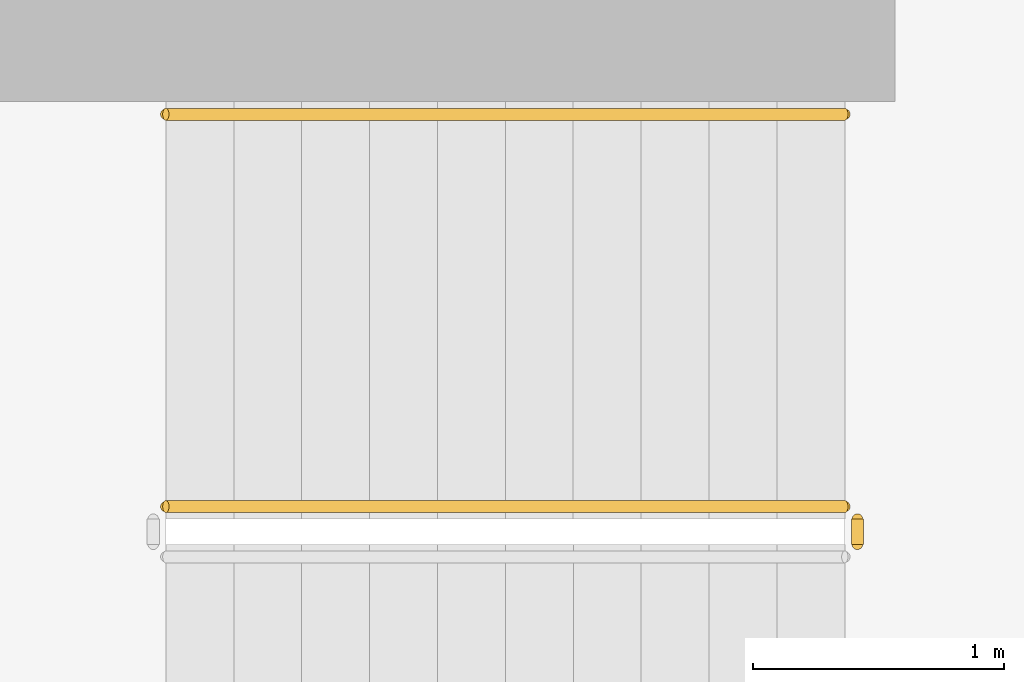
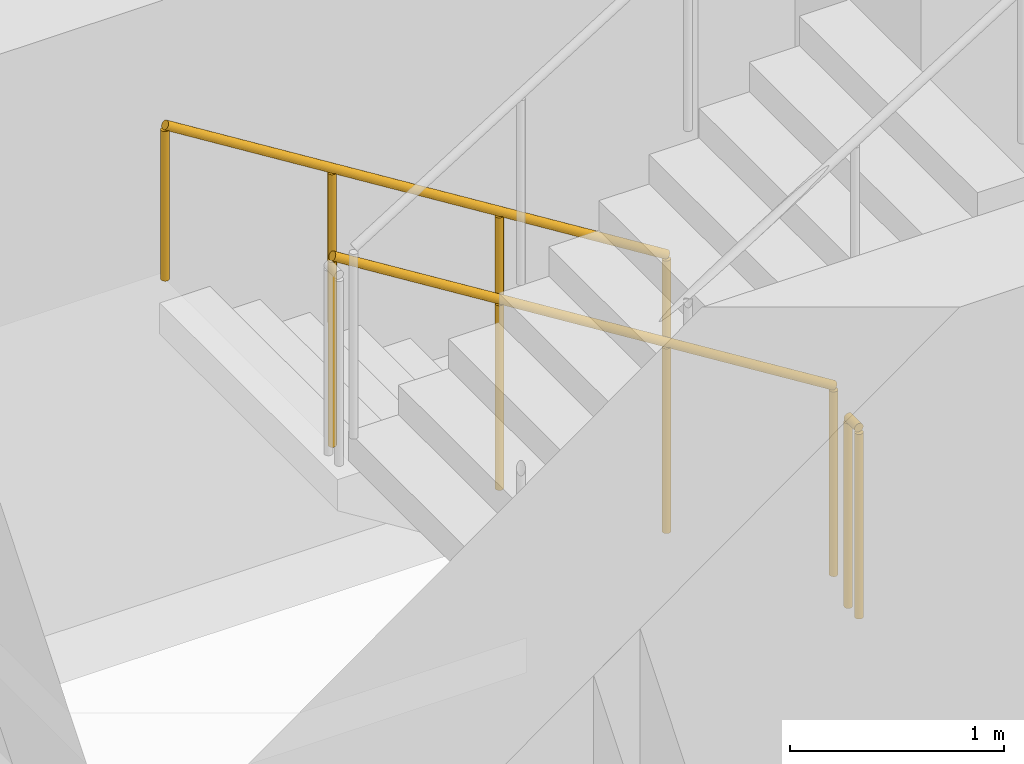
# One storey, part 15 of 17: 3 railings.
"""IFC4 building model written with IfcOpenShell, lengths in metres."""

from ifc_helpers import new_model, si_unit, direction, frame, origin, origin_2d, place, context, subcontext, project, spatial, circle, extrude, material, type_object, element, save


model = new_model("IFC4")

# Units and contexts
model_context = context("Model", 3, precision=1e-05, world=origin(), true_north=direction((0.0, 1.0)))
body_context = subcontext(model_context, "Body", "Model", "MODEL_VIEW")
ifc_project = project(units=[si_unit("LENGTHUNIT", "METRE"), si_unit("AREAUNIT", "SQUARE_METRE"), si_unit("VOLUMEUNIT", "CUBIC_METRE"), si_unit("PLANEANGLEUNIT", "RADIAN"), si_unit("MASSUNIT", "GRAM", prefix="KILO")], contexts=[model_context])

# Site, building, storey
site_placement = place(None, origin())
site = spatial("IfcSite", under=ifc_project, at=site_placement, CompositionType="ELEMENT")
building_placement = place(site_placement, origin())
building = spatial("IfcBuilding", under=site, at=building_placement, Name="Vermilion Reach Broadcast Tower", CompositionType="ELEMENT")
storey_placement = place(building_placement, frame((0.0, 0.0, 54.5)))
storey = spatial("IfcBuildingStorey", under=building, at=storey_placement, Name="L10", CompositionType="ELEMENT", Elevation=54.5)

# Railings
ifc_material_1 = material(Name="Stainless steel", Category="steel")
railing_type_1 = type_object("IfcRailingType", Name="Stair guard 1100", PredefinedType="GUARDRAIL", material=ifc_material_1)
railing_1_placement = place(storey_placement, frame((-1.0, 5.68994140625, 0.168212890625)))
element("IfcRailing", 1, at=railing_1_placement, inside=storey, type_object=railing_type_1, Name="L10 ST2 stair guard 1", PredefinedType="GUARDRAIL", context=body_context, shape_type="SweptSolid", body=[
    extrude(circle(Radius=0.02392578125, at=origin_2d()), frame((0.0, 0.0, 1.076171875), z_axis=(-0.848786430784, 0.0, 0.528735846068), x_axis=(0.0, -1.0, 0.0)), (0.0, 0.0, 1.0), 3.180908203125),
    extrude(circle(Radius=0.02099609375, at=origin_2d()), origin(), (0.0, 0.0, 1.0), 1.052001953125),
    extrude(circle(Radius=0.02099609375, at=origin_2d()), frame((-0.89990234375, 0.0, 0.560546875)), (0.0, 0.0, 1.0), 1.052001953125),
    extrude(circle(Radius=0.02099609375, at=origin_2d()), frame((-1.800048828125, 0.0, 1.121337890625)), (0.0, 0.0, 1.0), 1.052001953125),
    extrude(circle(Radius=0.02099609375, at=origin_2d()), frame((-2.699951171875, 0.0, 1.681884765625)), (0.0, 0.0, 1.0), 1.052001953125),
])
railing_2_placement = place(storey_placement, frame((-0.949951171875, 5.639892578125, 0.0)))
element("IfcRailing", 2, at=railing_2_placement, inside=storey, type_object=railing_type_1, Name="L10 ST2 stair guard 4", PredefinedType="GUARDRAIL", context=body_context, shape_type="SweptSolid", body=[
    extrude(circle(Radius=0.02392578125, at=origin_2d()), frame((0.0, 0.0, 1.076171875), z_axis=(0.0, -1.0, 0.0), x_axis=(1.0, 0.0, 0.0)), (0.0, 0.0, 1.0), 0.099853515625),
    extrude(circle(Radius=0.02099609375, at=origin_2d()), origin(), (0.0, 0.0, 1.0), 1.052001953125),
    extrude(circle(Radius=0.02099609375, at=origin_2d()), frame((0.0, -0.099853515625, 0.0)), (0.0, 0.0, 1.0), 1.052001953125),
])
ifc_material_2 = material(Name="Stainless steel", Category="steel")
railing_type_2 = type_object("IfcRailingType", Name="Stair handrail", PredefinedType="HANDRAIL", material=ifc_material_2)
railing_3_placement = place(storey_placement, frame((-1.0, 7.25, 0.168212890625)))
element("IfcRailing", 3, at=railing_3_placement, inside=storey, type_object=railing_type_2, Name="L10 ST2 stair handrail 1", PredefinedType="HANDRAIL", context=body_context, shape_type="SweptSolid", body=[
    extrude(circle(Radius=0.02392578125, at=origin_2d()), frame((0.0, 0.0, 0.8759765625), z_axis=(-0.848786430784, 0.0, 0.528735846068), x_axis=(0.0, -1.0, 0.0)), (0.0, 0.0, 1.0), 3.180908203125),
    extrude(circle(Radius=0.02099609375, at=origin_2d()), origin(), (0.0, 0.0, 1.0), 0.851806640625),
    extrude(circle(Radius=0.02099609375, at=origin_2d()), frame((-0.89990234375, 0.0, 0.560546875)), (0.0, 0.0, 1.0), 0.851806640625),
    extrude(circle(Radius=0.02099609375, at=origin_2d()), frame((-1.800048828125, 0.0, 1.121337890625)), (0.0, 0.0, 1.0), 0.851806640625),
    extrude(circle(Radius=0.02099609375, at=origin_2d()), frame((-2.699951171875, 0.0, 1.681884765625)), (0.0, 0.0, 1.0), 0.851806640625),
])

save(model, "model.ifc")
